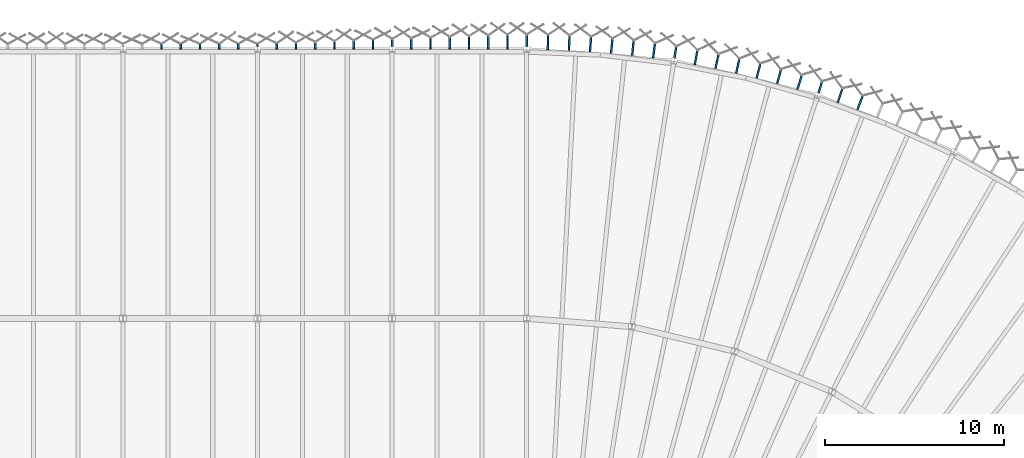
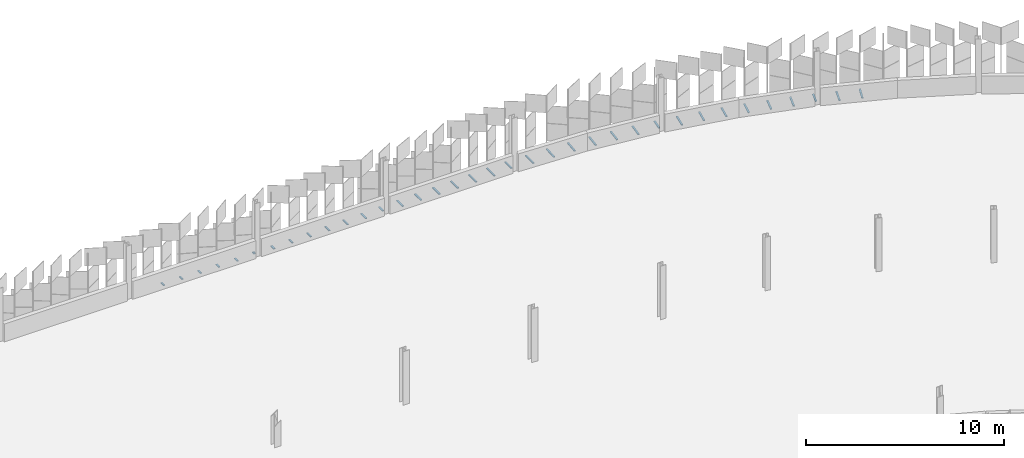
# One storey, part 177 of 198: 36 discrete accessories.
"""IFC4 building model written with IfcOpenShell, lengths in metres."""

from ifc_helpers import new_model, si_unit, direction, frame, origin, origin_2d, place, context, subcontext, project, spatial, rectangle, extrude, material, type_object, element, save


model = new_model("IFC4")

# Units and contexts
model_context = context("Model", 3, precision=1e-05, world=origin(), true_north=direction((0.0, 1.0)))
body_context = subcontext(model_context, "Body", "Model", "MODEL_VIEW")
ifc_project = project(units=[si_unit("LENGTHUNIT", "METRE"), si_unit("AREAUNIT", "SQUARE_METRE"), si_unit("VOLUMEUNIT", "CUBIC_METRE"), si_unit("PLANEANGLEUNIT", "RADIAN"), si_unit("MASSUNIT", "GRAM", prefix="KILO")], contexts=[model_context])

# Site, building, storey
site_placement = place(None, origin())
site = spatial("IfcSite", under=ifc_project, at=site_placement, CompositionType="ELEMENT")
building_placement = place(site_placement, origin())
building = spatial("IfcBuilding", under=site, at=building_placement, Name="Parallax Yard Mobility Hub", CompositionType="ELEMENT")
storey_placement = place(building_placement, frame((0.0, 0.0, 6.60009765625)))
storey = spatial("IfcBuildingStorey", under=building, at=storey_placement, Name="L02", CompositionType="ELEMENT", Elevation=6.60009765625)

# Discrete accessories
ifc_material = material(Name="Steel ASTM A36, hot-dip galvanised", Category="steel")
discrete_accessory_type = type_object("IfcDiscreteAccessoryType", Name="Hinge bracket plate 100x50", PredefinedType="BRACKET", material=ifc_material)
for number, where, z_axis, x_axis, name in (
    (1, (191.086669921875, 139.525390625, -0.02490234375), (0.0, 0.0, 1.0), (0.349463436287, 0.93695000224, 0.0), "Hinge bracket plate bay 48.6 level L02"),
    (2, (189.970703125, 139.931640625, -0.02490234375), (0.0, 0.0, 1.0), (0.322566382032, 0.946546844685, 0.0), "Hinge bracket plate bay 48.7 level L02"),
):
    element("IfcDiscreteAccessory", number, at=place(storey_placement, frame(where, z_axis=z_axis, x_axis=x_axis)), inside=storey, type_object=discrete_accessory_type, Name=name, PredefinedType="BRACKET", context=body_context, shape_type="SweptSolid", body=[
        extrude(rectangle(XDim=0.80810546875, YDim=0.10009765625, at=origin_2d()), origin(), (0.0, 0.0, 1.0), 0.050048828125),
    ])
discrete_accessory_1_placement = place(storey_placement, frame((188.86962890625, 140.38916015625, -0.02490234375), z_axis=(0.0, 0.0, 1.0), x_axis=(0.295404591031, 0.955372245566, 0.0)))
element("IfcDiscreteAccessory", 3, at=discrete_accessory_1_placement, inside=storey, type_object=discrete_accessory_type, Name="Hinge bracket plate bay 49.1 level L02", PredefinedType="BRACKET", context=body_context, shape_type="SweptSolid", body=[
    extrude(rectangle(XDim=0.65234375, YDim=0.10009765625, at=origin_2d()), origin(), (0.0, 0.0, 1.0), 0.050048828125),
])
for number, where, z_axis, x_axis, name in (
    (4, (187.714599609375, 140.664794921875, -0.02490234375), (0.0, 0.0, 1.0), (0.295404591031, 0.955372245566, 0.0), "Hinge bracket plate bay 49.2 level L02"),
    (5, (186.572998046875, 140.991943359375, -0.02490234375), (0.0, 0.0, 1.0), (0.268003534583, 0.963417928757, 0.0), "Hinge bracket plate bay 49.3 level L02"),
    (6, (185.425048828125, 141.29541015625, -0.02490234375), (0.0, 0.0, 1.0), (0.240382213455, 0.970678315125, 0.0), "Hinge bracket plate bay 49.4 level L02"),
    (7, (184.270751953125, 141.57470703125, -0.02490234375), (0.0, 0.0, 1.0), (0.212564824432, 0.977146967152, 0.0), "Hinge bracket plate bay 49.5 level L02"),
    (8, (183.113037109375, 141.82666015625, -0.02490234375), (0.0, 0.0, 1.0), (0.212564824432, 0.977146967152, 0.0), "Hinge bracket plate bay 49.6 level L02"),
    (9, (181.9462890625, 142.048828125, -0.02490234375), (0.0, 0.0, 1.0), (0.184575772126, 0.982818286533, 0.0), "Hinge bracket plate bay 49.7 level L02"),
):
    element("IfcDiscreteAccessory", number, at=place(storey_placement, frame(where, z_axis=z_axis, x_axis=x_axis)), inside=storey, type_object=discrete_accessory_type, Name=name, PredefinedType="BRACKET", context=body_context, shape_type="SweptSolid", body=[
        extrude(rectangle(XDim=0.80810546875, YDim=0.10009765625, at=origin_2d()), origin(), (0.0, 0.0, 1.0), 0.050048828125),
    ])
discrete_accessory_2_placement = place(storey_placement, frame((180.787353515625, 142.322509765625, -0.02490234375), z_axis=(0.0, 0.0, 1.0), x_axis=(0.15643446504, 0.987688340595, 0.0)))
element("IfcDiscreteAccessory", 10, at=discrete_accessory_2_placement, inside=storey, type_object=discrete_accessory_type, Name="Hinge bracket plate bay 50.1 level L02", PredefinedType="BRACKET", context=body_context, shape_type="SweptSolid", body=[
    extrude(rectangle(XDim=0.654541015625, YDim=0.10009765625, at=origin_2d()), origin(), (0.0, 0.0, 1.0), 0.050048828125),
])
for number, where, z_axis, x_axis, name in (
    (11, (179.600830078125, 142.42041015625, -0.02490234375), (0.0, 0.0, 1.0), (0.12816556209, 0.991752786078, 0.0), "Hinge bracket plate bay 50.2 level L02"),
    (12, (178.422607421875, 142.569580078125, -0.02490234375), (0.0, 0.0, 1.0), (0.099793857441, 0.995008133644, 0.0), "Hinge bracket plate bay 50.3 level L02"),
    (13, (177.243896484375, 142.687744140625, -0.02490234375), (0.0, 0.0, 1.0), (0.099793857441, 0.995008133644, 0.0), "Hinge bracket plate bay 50.4 level L02"),
    (14, (176.06005859375, 142.778564453125, -0.02490234375), (0.0, 0.0, 1.0), (0.071339024937, 0.997452125929, 0.0), "Hinge bracket plate bay 50.5 level L02"),
    (15, (174.87451171875, 142.844970703125, -0.02490234375), (0.0, 0.0, 1.0), (0.042826004716, 0.999082545799, 0.0), "Hinge bracket plate bay 50.6 level L02"),
    (16, (173.687744140625, 142.88671875, -0.02490234375), (0.0, 0.0, 1.0), (0.01427979859, 0.999898038478, 0.0), "Hinge bracket plate bay 50.7 level L02"),
):
    element("IfcDiscreteAccessory", number, at=place(storey_placement, frame(where, z_axis=z_axis, x_axis=x_axis)), inside=storey, type_object=discrete_accessory_type, Name=name, PredefinedType="BRACKET", context=body_context, shape_type="SweptSolid", body=[
        extrude(rectangle(XDim=0.80810546875, YDim=0.10009765625, at=origin_2d()), origin(), (0.0, 0.0, 1.0), 0.050048828125),
    ])
discrete_accessory_3_placement = place(storey_placement, frame((172.501953125, 142.980224609375, -0.02490234375), z_axis=(0.0, 0.0, 1.0), x_axis=(0.0, 1.0, 0.0)))
element("IfcDiscreteAccessory", 17, at=discrete_accessory_3_placement, inside=storey, type_object=discrete_accessory_type, Name="Hinge bracket plate bay 51.1 level L02", PredefinedType="BRACKET", context=body_context, shape_type="SweptSolid", body=[
    extrude(rectangle(XDim=0.654541015625, YDim=0.10009765625, at=origin_2d()), origin(), (0.0, 0.0, 1.0), 0.050048828125),
])
discrete_accessory_4_placement = place(storey_placement, frame((171.430419921875, 142.8974609375, -0.02490234375), z_axis=(0.0, 0.0, 1.0), x_axis=(0.0, 1.0, 0.0)))
element("IfcDiscreteAccessory", 18, at=discrete_accessory_4_placement, inside=storey, type_object=discrete_accessory_type, Name="Hinge bracket plate bay 51.2 level L02", PredefinedType="BRACKET", context=body_context, shape_type="SweptSolid", body=[
    extrude(rectangle(XDim=0.7958984375, YDim=0.10009765625, at=origin_2d()), origin(), (0.0, 0.0, 1.0), 0.050048828125),
])
discrete_accessory_5_placement = place(storey_placement, frame((170.35888671875, 142.87744140625, -0.02490234375), z_axis=(0.0, 0.0, 1.0), x_axis=(0.0, 1.0, 0.0)))
element("IfcDiscreteAccessory", 19, at=discrete_accessory_5_placement, inside=storey, type_object=discrete_accessory_type, Name="Hinge bracket plate bay 51.3 level L02", PredefinedType="BRACKET", context=body_context, shape_type="SweptSolid", body=[
    extrude(rectangle(XDim=0.755859375, YDim=0.10009765625, at=origin_2d()), origin(), (0.0, 0.0, 1.0), 0.050048828125),
])
discrete_accessory_6_placement = place(storey_placement, frame((169.287109375, 142.857421875, -0.02490234375), z_axis=(0.0, 0.0, 1.0), x_axis=(0.0, 1.0, 0.0)))
element("IfcDiscreteAccessory", 20, at=discrete_accessory_6_placement, inside=storey, type_object=discrete_accessory_type, Name="Hinge bracket plate bay 51.4 level L02", PredefinedType="BRACKET", context=body_context, shape_type="SweptSolid", body=[
    extrude(rectangle(XDim=0.7158203125, YDim=0.10009765625, at=origin_2d()), origin(), (0.0, 0.0, 1.0), 0.050048828125),
])
discrete_accessory_7_placement = place(storey_placement, frame((168.215576171875, 142.83740234375, -0.02490234375), z_axis=(0.0, 0.0, 1.0), x_axis=(0.0, 1.0, 0.0)))
element("IfcDiscreteAccessory", 21, at=discrete_accessory_7_placement, inside=storey, type_object=discrete_accessory_type, Name="Hinge bracket plate bay 51.5 level L02", PredefinedType="BRACKET", context=body_context, shape_type="SweptSolid", body=[
    extrude(rectangle(XDim=0.67578125, YDim=0.10009765625, at=origin_2d()), origin(), (0.0, 0.0, 1.0), 0.050048828125),
])
discrete_accessory_8_placement = place(storey_placement, frame((167.14404296875, 142.8173828125, -0.02490234375), z_axis=(0.0, 0.0, 1.0), x_axis=(0.0, 1.0, 0.0)))
element("IfcDiscreteAccessory", 22, at=discrete_accessory_8_placement, inside=storey, type_object=discrete_accessory_type, Name="Hinge bracket plate bay 51.6 level L02", PredefinedType="BRACKET", context=body_context, shape_type="SweptSolid", body=[
    extrude(rectangle(XDim=0.635498046875, YDim=0.10009765625, at=origin_2d()), origin(), (0.0, 0.0, 1.0), 0.050048828125),
])
discrete_accessory_9_placement = place(storey_placement, frame((166.072509765625, 142.797119140625, -0.02490234375), z_axis=(0.0, 0.0, 1.0), x_axis=(0.0, 1.0, 0.0)))
element("IfcDiscreteAccessory", 23, at=discrete_accessory_9_placement, inside=storey, type_object=discrete_accessory_type, Name="Hinge bracket plate bay 51.7 level L02", PredefinedType="BRACKET", context=body_context, shape_type="SweptSolid", body=[
    extrude(rectangle(XDim=0.595458984375, YDim=0.10009765625, at=origin_2d()), origin(), (0.0, 0.0, 1.0), 0.050048828125),
])
discrete_accessory_10_placement = place(storey_placement, frame((165.0009765625, 142.85400390625, -0.02490234375), z_axis=(0.0, 0.0, 1.0), x_axis=(0.0, 1.0, 0.0)))
element("IfcDiscreteAccessory", 24, at=discrete_accessory_10_placement, inside=storey, type_object=discrete_accessory_type, Name="Hinge bracket plate bay 52.1 level L02", PredefinedType="BRACKET", context=body_context, shape_type="SweptSolid", body=[
    extrude(rectangle(XDim=0.40185546875, YDim=0.10009765625, at=origin_2d()), origin(), (0.0, 0.0, 1.0), 0.050048828125),
])
discrete_accessory_11_placement = place(storey_placement, frame((163.929443359375, 142.757080078125, -0.02490234375), z_axis=(0.0, 0.0, 1.0), x_axis=(0.0, 1.0, 0.0)))
element("IfcDiscreteAccessory", 25, at=discrete_accessory_11_placement, inside=storey, type_object=discrete_accessory_type, Name="Hinge bracket plate bay 52.2 level L02", PredefinedType="BRACKET", context=body_context, shape_type="SweptSolid", body=[
    extrude(rectangle(XDim=0.515380859375, YDim=0.10009765625, at=origin_2d()), origin(), (0.0, 0.0, 1.0), 0.050048828125),
])
discrete_accessory_12_placement = place(storey_placement, frame((162.85791015625, 142.737060546875, -0.02490234375), z_axis=(0.0, 0.0, 1.0), x_axis=(0.0, 1.0, 0.0)))
element("IfcDiscreteAccessory", 26, at=discrete_accessory_12_placement, inside=storey, type_object=discrete_accessory_type, Name="Hinge bracket plate bay 52.3 level L02", PredefinedType="BRACKET", context=body_context, shape_type="SweptSolid", body=[
    extrude(rectangle(XDim=0.47509765625, YDim=0.10009765625, at=origin_2d()), origin(), (0.0, 0.0, 1.0), 0.050048828125),
])
discrete_accessory_13_placement = place(storey_placement, frame((161.786376953125, 142.717041015625, -0.02490234375), z_axis=(0.0, 0.0, 1.0), x_axis=(0.0, 1.0, 0.0)))
element("IfcDiscreteAccessory", 27, at=discrete_accessory_13_placement, inside=storey, type_object=discrete_accessory_type, Name="Hinge bracket plate bay 52.4 level L02", PredefinedType="BRACKET", context=body_context, shape_type="SweptSolid", body=[
    extrude(rectangle(XDim=0.43505859375, YDim=0.10009765625, at=origin_2d()), origin(), (0.0, 0.0, 1.0), 0.050048828125),
])
discrete_accessory_14_placement = place(storey_placement, frame((160.71484375, 142.697021484375, -0.02490234375), z_axis=(0.0, 0.0, 1.0), x_axis=(0.0, 1.0, 0.0)))
element("IfcDiscreteAccessory", 28, at=discrete_accessory_14_placement, inside=storey, type_object=discrete_accessory_type, Name="Hinge bracket plate bay 52.5 level L02", PredefinedType="BRACKET", context=body_context, shape_type="SweptSolid", body=[
    extrude(rectangle(XDim=0.39501953125, YDim=0.10009765625, at=origin_2d()), origin(), (0.0, 0.0, 1.0), 0.050048828125),
])
discrete_accessory_15_placement = place(storey_placement, frame((159.643310546875, 142.677001953125, -0.02490234375), z_axis=(0.0, 0.0, 1.0), x_axis=(0.0, 1.0, 0.0)))
element("IfcDiscreteAccessory", 29, at=discrete_accessory_15_placement, inside=storey, type_object=discrete_accessory_type, Name="Hinge bracket plate bay 52.6 level L02", PredefinedType="BRACKET", context=body_context, shape_type="SweptSolid", body=[
    extrude(rectangle(XDim=0.35498046875, YDim=0.10009765625, at=origin_2d()), origin(), (0.0, 0.0, 1.0), 0.050048828125),
])
discrete_accessory_16_placement = place(storey_placement, frame((158.571533203125, 142.656982421875, -0.02490234375), z_axis=(0.0, 0.0, 1.0), x_axis=(0.0, 1.0, 0.0)))
element("IfcDiscreteAccessory", 30, at=discrete_accessory_16_placement, inside=storey, type_object=discrete_accessory_type, Name="Hinge bracket plate bay 52.7 level L02", PredefinedType="BRACKET", context=body_context, shape_type="SweptSolid", body=[
    extrude(rectangle(XDim=0.31494140625, YDim=0.10009765625, at=origin_2d()), origin(), (0.0, 0.0, 1.0), 0.050048828125),
])
discrete_accessory_17_placement = place(storey_placement, frame((157.5, 142.71826171875, -0.02490234375), z_axis=(0.0, 0.0, 1.0), x_axis=(0.0, 1.0, 0.0)))
element("IfcDiscreteAccessory", 31, at=discrete_accessory_17_placement, inside=storey, type_object=discrete_accessory_type, Name="Hinge bracket plate bay 53.1 level L02", PredefinedType="BRACKET", context=body_context, shape_type="SweptSolid", body=[
    extrude(rectangle(XDim=0.130615234375, YDim=0.10009765625, at=origin_2d()), origin(), (0.0, 0.0, 1.0), 0.050048828125),
])
for number, where, z_axis, x_axis, name in (
    (32, (156.428466796875, 142.6416015625, -0.02490234375), (0.0, 0.0, 1.0), (0.0, 1.0, 0.0), "Hinge bracket plate bay 53.2 level L02"),
    (33, (155.35693359375, 142.6416015625, -0.02490234375), (0.0, 0.0, 1.0), (0.0, 1.0, 0.0), "Hinge bracket plate bay 53.3 level L02"),
    (34, (154.285400390625, 142.6416015625, -0.02490234375), (0.0, 0.0, 1.0), (0.0, 1.0, 0.0), "Hinge bracket plate bay 53.4 level L02"),
    (35, (153.2138671875, 142.6416015625, -0.02490234375), (0.0, 0.0, 1.0), (0.0, 1.0, 0.0), "Hinge bracket plate bay 53.5 level L02"),
    (36, (152.142333984375, 142.6416015625, -0.02490234375), (0.0, 0.0, 1.0), (0.0, 1.0, 0.0), "Hinge bracket plate bay 53.6 level L02"),
):
    element("IfcDiscreteAccessory", number, at=place(storey_placement, frame(where, z_axis=z_axis, x_axis=x_axis)), inside=storey, type_object=discrete_accessory_type, Name=name, PredefinedType="BRACKET", context=body_context, shape_type="SweptSolid", body=[
        extrude(rectangle(XDim=0.2841796875, YDim=0.10009765625, at=origin_2d()), origin(), (0.0, 0.0, 1.0), 0.050048828125),
    ])

save(model, "model.ifc")
